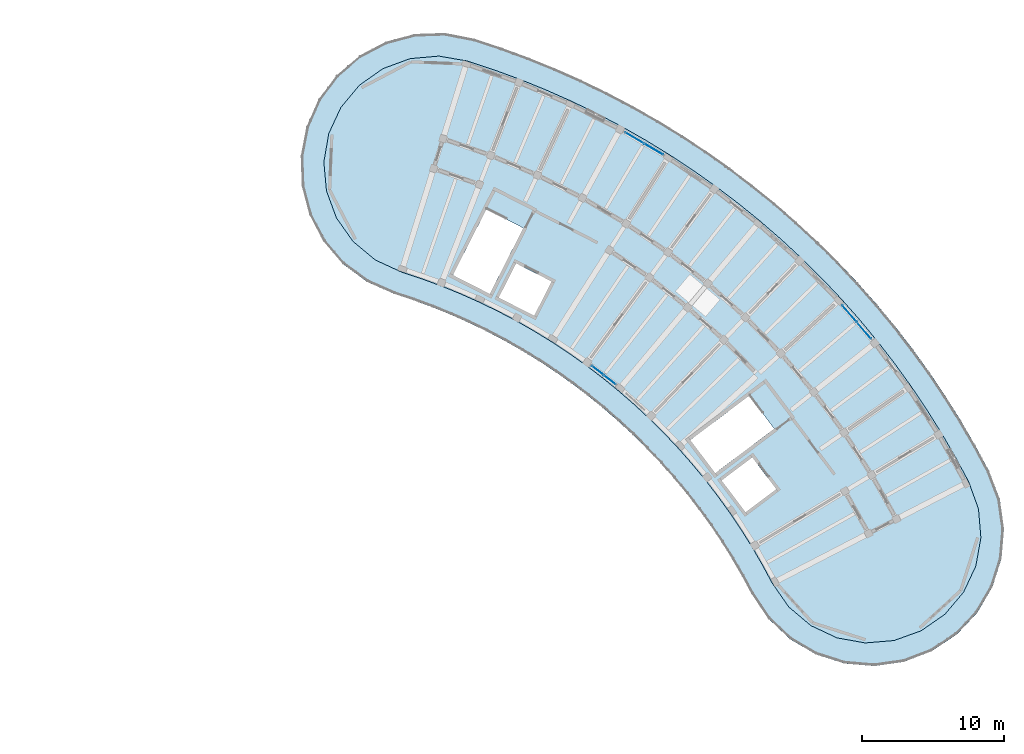
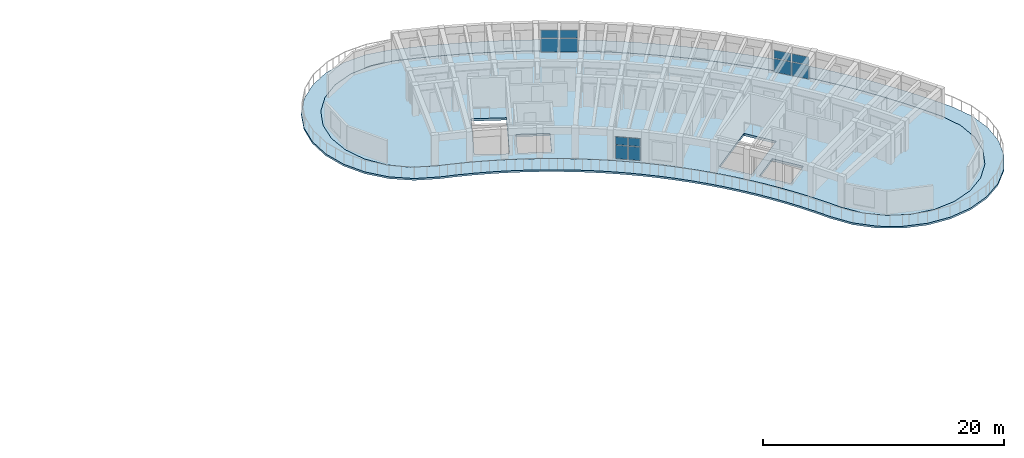
# One storey, part 17 of 32: 12 plates, 2 slabs, 3 elements without a shape of their own.
"""IFC4 building model written with IfcOpenShell, lengths in metres."""

from ifc_helpers import new_model, si_unit, direction, frame, origin, origin_2d, place, context, subcontext, project, spatial, polyline, rectangle, outline, extrude, material, layer, layer_set, type_object, element, aggregate, save


model = new_model("IFC4")

# Units and contexts
model_context = context("Model", 3, precision=1e-05, world=origin(), true_north=direction((0.0, 1.0)))
body_context = subcontext(model_context, "Body", "Model", "MODEL_VIEW")
ifc_project = project(units=[si_unit("LENGTHUNIT", "METRE"), si_unit("AREAUNIT", "SQUARE_METRE"), si_unit("VOLUMEUNIT", "CUBIC_METRE"), si_unit("PLANEANGLEUNIT", "RADIAN"), si_unit("MASSUNIT", "GRAM", prefix="KILO")], contexts=[model_context])

# Site, building, storey
site_placement = place(None, origin())
site = spatial("IfcSite", under=ifc_project, at=site_placement, CompositionType="ELEMENT")
building_placement = place(site_placement, origin())
building = spatial("IfcBuilding", under=site, at=building_placement, Name="Tanwirah Colonnade Gardens", CompositionType="ELEMENT")
storey_placement = place(building_placement, frame((0.0, 0.0, 42.43994140625)))
storey = spatial("IfcBuildingStorey", under=building, at=storey_placement, Name="L12", CompositionType="ELEMENT", Elevation=42.43994140625)

# Curtain wall, plates
ifc_material_1 = material(Name="Bronze-anodised aluminium and solar-control low-E glass", Category="aluminium")
curtain_wall_type_1 = type_object("IfcCurtainWallType", Name="CW-LOB", PredefinedType="NOTDEFINED", material=ifc_material_1)
curtain_wall_1_placement = place(storey_placement, origin())
curtain_wall_1 = element("IfcCurtainWall", 1, at=curtain_wall_1_placement, inside=storey, type_object=curtain_wall_type_1, Name="Curtain Wall CW-B-L12-OUT-06", PredefinedType="NOTDEFINED")
ifc_material_2 = material(Name="Insulated bronze aluminium spandrel panel", Category="aluminium")
ifc_layer_1 = layer(ifc_material_2, 0.035888671875)
ifc_layer_set_1 = layer_set([ifc_layer_1], Name="Insulated bronze aluminium spandrel panel")
plate_type = type_object("IfcPlateType", Name="CWP-SPN36", PredefinedType="CURTAIN_PANEL", material=ifc_layer_set_1)
plate_1_placement = place(storey_placement, frame((166.73046875, 98.301025390625, 0.06494140625), z_axis=(0.0, 0.0, 1.0), x_axis=(-0.650185920953, 0.75977514318, 0.0)))
plate_1 = element("IfcPlate", 2, at=plate_1_placement, type_object=plate_type, Name="CW-LOB panel 1.1", PredefinedType="CURTAIN_PANEL", context=body_context, shape_type="SweptSolid", body=[
    extrude(rectangle(XDim=1.50537109375, YDim=0.035888671875, at=origin_2d()), origin(), (0.0, 0.0, 1.0), 1.362548828125),
])
plate_2_placement = place(storey_placement, frame((166.73046875, 98.301025390625, 1.49267578125), z_axis=(0.0, 0.0, 1.0), x_axis=(-0.650185920953, 0.75977514318, 0.0)))
plate_2 = element("IfcPlate", 3, at=plate_2_placement, type_object=plate_type, Name="CW-LOB panel 1.2", PredefinedType="CURTAIN_PANEL", context=body_context, shape_type="SweptSolid", body=[
    extrude(rectangle(XDim=1.50537109375, YDim=0.035888671875, at=origin_2d()), origin(), (0.0, 0.0, 1.0), 0.79736328125),
])
plate_3_placement = place(storey_placement, frame((165.70947265625, 99.494140625, 0.06494140625), z_axis=(0.0, 0.0, 1.0), x_axis=(-0.650185920953, 0.75977514318, 0.0)))
plate_3 = element("IfcPlate", 4, at=plate_3_placement, type_object=plate_type, Name="CW-LOB panel 2.1", PredefinedType="CURTAIN_PANEL", context=body_context, shape_type="SweptSolid", body=[
    extrude(rectangle(XDim=1.50537109375, YDim=0.035888671875, at=origin_2d()), origin(), (0.0, 0.0, 1.0), 1.362548828125),
])
plate_4_placement = place(storey_placement, frame((165.70947265625, 99.494140625, 1.49267578125), z_axis=(0.0, 0.0, 1.0), x_axis=(-0.650185920953, 0.75977514318, 0.0)))
plate_4 = element("IfcPlate", 5, at=plate_4_placement, type_object=plate_type, Name="CW-LOB panel 2.2", PredefinedType="CURTAIN_PANEL", context=body_context, shape_type="SweptSolid", body=[
    extrude(rectangle(XDim=1.50537109375, YDim=0.035888671875, at=origin_2d()), origin(), (0.0, 0.0, 1.0), 0.79736328125),
])
aggregate(curtain_wall_1, [plate_1, plate_2, plate_3, plate_4])

curtain_wall_type_2 = type_object("IfcCurtainWallType", Name="CW-GDN", PredefinedType="NOTDEFINED", material=ifc_material_1)
curtain_wall_2_placement = place(storey_placement, origin())
curtain_wall_2 = element("IfcCurtainWall", 6, at=curtain_wall_2_placement, inside=storey, type_object=curtain_wall_type_2, Name="Curtain Wall CW-B-L12-IN-09", PredefinedType="NOTDEFINED")
plate_5_placement = place(storey_placement, frame((148.841064453125, 94.823974609375, 0.06494140625), z_axis=(0.0, 0.0, 1.0), x_axis=(-0.786815291166, 0.617188542982, 0.0)))
plate_5 = element("IfcPlate", 7, at=plate_5_placement, type_object=plate_type, Name="CW-GDN panel 1.1", PredefinedType="CURTAIN_PANEL", context=body_context, shape_type="SweptSolid", body=[
    extrude(rectangle(XDim=1.007568359375, YDim=0.035888671875, at=origin_2d()), origin(), (0.0, 0.0, 1.0), 1.362548828125),
])
plate_6_placement = place(storey_placement, frame((148.841064453125, 94.823974609375, 1.49267578125), z_axis=(0.0, 0.0, 1.0), x_axis=(-0.786815291166, 0.617188542982, 0.0)))
plate_6 = element("IfcPlate", 8, at=plate_6_placement, type_object=plate_type, Name="CW-GDN panel 1.2", PredefinedType="CURTAIN_PANEL", context=body_context, shape_type="SweptSolid", body=[
    extrude(rectangle(XDim=1.007568359375, YDim=0.035888671875, at=origin_2d()), origin(), (0.0, 0.0, 1.0), 0.79736328125),
])
plate_7_placement = place(storey_placement, frame((147.9970703125, 95.48583984375, 0.06494140625), z_axis=(0.0, 0.0, 1.0), x_axis=(-0.786815291166, 0.617188542982, 0.0)))
plate_7 = element("IfcPlate", 9, at=plate_7_placement, type_object=plate_type, Name="CW-GDN panel 2.1", PredefinedType="CURTAIN_PANEL", context=body_context, shape_type="SweptSolid", body=[
    extrude(rectangle(XDim=1.007568359375, YDim=0.035888671875, at=origin_2d()), origin(), (0.0, 0.0, 1.0), 1.362548828125),
])
plate_8_placement = place(storey_placement, frame((147.9970703125, 95.48583984375, 1.49267578125), z_axis=(0.0, 0.0, 1.0), x_axis=(-0.786815291166, 0.617188542982, 0.0)))
plate_8 = element("IfcPlate", 10, at=plate_8_placement, type_object=plate_type, Name="CW-GDN panel 2.2", PredefinedType="CURTAIN_PANEL", context=body_context, shape_type="SweptSolid", body=[
    extrude(rectangle(XDim=1.007568359375, YDim=0.035888671875, at=origin_2d()), origin(), (0.0, 0.0, 1.0), 0.79736328125),
])
aggregate(curtain_wall_2, [plate_5, plate_6, plate_7, plate_8])

curtain_wall_3_placement = place(storey_placement, origin())
curtain_wall_3 = element("IfcCurtainWall", 11, at=curtain_wall_3_placement, inside=storey, type_object=curtain_wall_type_1, Name="Curtain Wall CW-B-L12-OUT-11", PredefinedType="NOTDEFINED")
plate_9_placement = place(storey_placement, frame((151.933349609375, 111.0537109375, 0.06494140625), z_axis=(0.0, 0.0, 1.0), x_axis=(-0.861137415376, 0.50837225715, 0.0)))
plate_9 = element("IfcPlate", 12, at=plate_9_placement, type_object=plate_type, Name="CW-LOB panel 1.1", PredefinedType="CURTAIN_PANEL", context=body_context, shape_type="SweptSolid", body=[
    extrude(rectangle(XDim=1.50537109375, YDim=0.035888671875, at=origin_2d()), origin(), (0.0, 0.0, 1.0), 1.362548828125),
])
plate_10_placement = place(storey_placement, frame((151.933349609375, 111.0537109375, 1.49267578125), z_axis=(0.0, 0.0, 1.0), x_axis=(-0.861137415376, 0.50837225715, 0.0)))
plate_10 = element("IfcPlate", 13, at=plate_10_placement, type_object=plate_type, Name="CW-LOB panel 1.2", PredefinedType="CURTAIN_PANEL", context=body_context, shape_type="SweptSolid", body=[
    extrude(rectangle(XDim=1.50537109375, YDim=0.035888671875, at=origin_2d()), origin(), (0.0, 0.0, 1.0), 0.79736328125),
])
plate_11_placement = place(storey_placement, frame((150.5810546875, 111.85205078125, 0.06494140625), z_axis=(0.0, 0.0, 1.0), x_axis=(-0.861137415376, 0.50837225715, 0.0)))
plate_11 = element("IfcPlate", 14, at=plate_11_placement, type_object=plate_type, Name="CW-LOB panel 2.1", PredefinedType="CURTAIN_PANEL", context=body_context, shape_type="SweptSolid", body=[
    extrude(rectangle(XDim=1.50537109375, YDim=0.035888671875, at=origin_2d()), origin(), (0.0, 0.0, 1.0), 1.362548828125),
])
plate_12_placement = place(storey_placement, frame((150.5810546875, 111.85205078125, 1.49267578125), z_axis=(0.0, 0.0, 1.0), x_axis=(-0.861137415376, 0.50837225715, 0.0)))
plate_12 = element("IfcPlate", 15, at=plate_12_placement, type_object=plate_type, Name="CW-LOB panel 2.2", PredefinedType="CURTAIN_PANEL", context=body_context, shape_type="SweptSolid", body=[
    extrude(rectangle(XDim=1.50537109375, YDim=0.035888671875, at=origin_2d()), origin(), (0.0, 0.0, 1.0), 0.79736328125),
])
aggregate(curtain_wall_3, [plate_9, plate_10, plate_11, plate_12])

# Slabs
ifc_material_3 = material(Name="White architectural precast concrete C40/50", Category="concrete")
ifc_layer_2 = layer(ifc_material_3, 0.18994140625)
ifc_layer_set_2 = layer_set([ifc_layer_2], Name="White architectural precast concrete C40/50")
slab_type_1 = type_object("IfcSlabType", Name="SL-BAL-190", PredefinedType="FLOOR", material=ifc_layer_set_2)
slab_1_placement = place(storey_placement, frame((0.0, 0.0, -0.18994140625)))
element("IfcSlab", 16, at=slab_1_placement, inside=storey, type_object=slab_type_1, Name="Block B L12 Continuous White Balcony Ribbon", PredefinedType="FLOOR", context=body_context, shape_type="SweptSolid", body=[
    extrude(outline(polyline([(160.013427734375, 78.010498046875), (161.54345703125, 76.564697265625), (163.356689453125, 75.49560546875), (165.3623046875, 74.85693359375), (167.459716796875, 74.680419921875), (169.5439453125, 74.97509765625), (171.510498046875, 75.72607421875), (173.26025390625, 76.89599609375), (174.7060546875, 78.42578125), (175.775146484375, 80.239013671875), (176.4140625, 82.24462890625), (176.590576171875, 84.34228515625), (176.2958984375, 86.426513671875), (175.544677734375, 88.392822265625), (174.585693359375, 90.17529296875), (173.568603515625, 91.92529296875), (172.494384765625, 93.640869140625), (171.3642578125, 95.320068359375), (170.17919921875, 96.9609375), (168.940673828125, 98.56201171875), (167.650146484375, 100.121337890625), (166.30908203125, 101.63720703125), (164.91845703125, 103.108154296875), (163.48046875, 104.532470703125), (161.99609375, 105.90869140625), (160.467041015625, 107.235107421875), (158.895263671875, 108.510498046875), (157.282470703125, 109.7333984375), (155.6298828125, 110.90234375), (153.93994140625, 112.01611328125), (152.214111328125, 113.07373046875), (150.454345703125, 114.073974609375), (148.66259765625, 115.015380859375), (146.8408203125, 115.8974609375), (144.990966796875, 116.718994140625), (143.114990234375, 117.47900390625), (141.21484375, 118.1767578125), (139.29296875, 118.811767578125), (137.22607421875, 119.2099609375), (135.122314453125, 119.13818359375), (133.087158203125, 118.60009765625), (131.222900390625, 117.622802734375), (129.623046875, 116.255126953125), (128.367431640625, 114.565673828125), (127.519287109375, 112.63916015625), (127.12109375, 110.572265625), (127.19287109375, 108.468505859375), (127.730712890625, 106.433349609375), (128.708251953125, 104.569091796875), (130.075927734375, 102.96923828125), (131.765380859375, 101.713623046875), (133.69189453125, 100.865478515625), (135.025390625, 100.425048828125), (136.343505859375, 99.94091796875), (137.645263671875, 99.41357421875), (138.9287109375, 98.843505859375), (140.192626953125, 98.231689453125), (141.435791015625, 97.578369140625), (142.65673828125, 96.884521484375), (143.85400390625, 96.150634765625), (145.026611328125, 95.3779296875), (146.173095703125, 94.566650390625), (147.292236328125, 93.71826171875), (148.3828125, 92.83349609375), (149.443603515625, 91.9130859375), (150.473388671875, 90.95849609375), (151.47119140625, 89.97021484375), (152.435791015625, 88.94970703125), (153.366455078125, 87.89794921875), (154.26171875, 86.81591796875), (155.12109375, 85.705078125), (155.943115234375, 84.566650390625), (156.727294921875, 83.401611328125), (157.47265625, 82.21142578125), (158.178466796875, 80.997314453125), (158.84375, 79.760498046875), (160.013427734375, 78.010498046875)]), holes=[polyline([(161.443115234375, 78.83740234375), (160.2822265625, 80.505615234375), (159.59228515625, 81.787841796875), (159.592041015625, 81.788330078125), (158.85986328125, 83.048095703125), (158.859619140625, 83.048828125), (158.086181640625, 84.28369140625), (158.0859375, 84.2841796875), (157.272216796875, 85.492919921875), (157.271728515625, 85.493408203125), (156.418701171875, 86.6748046875), (156.41845703125, 86.67529296875), (155.52685546875, 87.827880859375), (155.526611328125, 87.828369140625), (154.597412109375, 88.950927734375), (154.59716796875, 88.951416015625), (153.631591796875, 90.042724609375), (153.631103515625, 90.043212890625), (152.630126953125, 91.10205078125), (152.629638671875, 91.1025390625), (151.594482421875, 92.1279296875), (151.593994140625, 92.12841796875), (150.525390625, 93.118896484375), (150.52490234375, 93.119384765625), (149.42431640625, 94.07421875), (149.423828125, 94.07470703125), (148.292236328125, 94.99267578125), (148.291748046875, 94.9931640625), (147.130615234375, 95.87353515625), (147.130126953125, 95.873779296875), (145.940673828125, 96.71533203125), (145.940185546875, 96.7158203125), (144.723388671875, 97.517578125), (144.722900390625, 97.51806640625), (143.48046875, 98.279296875), (143.47998046875, 98.279541015625), (142.213134765625, 98.99951171875), (142.212646484375, 99.0), (140.9228515625, 99.677734375), (140.922119140625, 99.677978515625), (139.61083984375, 100.31298828125), (139.610107421875, 100.313232421875), (138.2783203125, 100.904541015625), (138.27783203125, 100.90478515625), (136.92724609375, 101.451904296875), (136.9267578125, 101.4521484375), (135.55908203125, 101.95458984375), (135.558349609375, 101.954833984375), (134.17578125, 102.411376953125), (132.331298828125, 103.264892578125), (130.771728515625, 104.56591796875), (129.60205078125, 106.22607421875), (128.90185546875, 108.132568359375), (128.718994140625, 110.1552734375), (129.06591796875, 112.156494140625), (129.918701171875, 113.99951171875), (131.2197265625, 115.55908203125), (132.8798828125, 116.728759765625), (134.786376953125, 117.428955078125), (136.80908203125, 117.61181640625), (138.811279296875, 117.264892578125), (140.681640625, 116.647216796875), (142.531494140625, 115.9677734375), (144.35791015625, 115.227783203125), (146.158935546875, 114.427978515625), (147.932861328125, 113.5693359375), (149.67724609375, 112.652587890625), (151.390625, 111.6787109375), (153.07080078125, 110.649169921875), (154.71630859375, 109.564453125), (156.3251953125, 108.42626953125), (157.8955078125, 107.23583984375), (159.42578125, 105.994140625), (160.914306640625, 104.70263671875), (162.359619140625, 103.36279296875), (163.759765625, 101.97607421875), (165.113525390625, 100.5439453125), (166.41943359375, 99.068115234375), (167.67578125, 97.5498046875), (168.881591796875, 95.990966796875), (170.035400390625, 94.393310546875), (171.1357421875, 92.758544921875), (172.181640625, 91.08837890625), (173.171875, 89.384521484375), (174.10498046875, 87.64990234375), (174.79443359375, 85.738525390625), (174.965576171875, 83.714599609375), (174.607177734375, 81.715576171875), (173.743408203125, 79.87744140625), (172.43359375, 78.325439453125), (170.766357421875, 77.16552734375), (168.85595703125, 76.476318359375), (166.832275390625, 76.30517578125), (164.833251953125, 76.663818359375), (162.9951171875, 77.52734375), (161.443115234375, 78.83740234375)])]), origin(), (0.0, 0.0, 1.0), 0.18994140625),
])
ifc_material_4 = material(Name="Precast concrete C40/50", Category="concrete")
ifc_layer_3 = layer(ifc_material_4, 0.239990234375)
ifc_layer_set_3 = layer_set([ifc_layer_3], Name="Precast concrete C40/50")
slab_type_2 = type_object("IfcSlabType", Name="SL-RES-240", PredefinedType="FLOOR", material=ifc_layer_set_3)
slab_2_placement = place(storey_placement, frame((0.0, 0.0, -0.239990234375)))
element("IfcSlab", 17, at=slab_2_placement, inside=storey, type_object=slab_type_2, Name="Block B L12 Precast Composite Floor Slab", PredefinedType="FLOOR", context=body_context, shape_type="SweptSolid", body=[
    extrude(outline(polyline([(158.842529296875, 83.0380859375), (159.57470703125, 81.7783203125), (160.26513671875, 80.4951171875), (161.42822265625, 78.82373046875), (162.984130859375, 77.510498046875), (164.8271484375, 76.64453125), (166.831298828125, 76.28515625), (168.8603515625, 76.456787109375), (170.775634765625, 77.1474609375), (172.447021484375, 78.310546875), (173.760498046875, 79.86669921875), (174.62646484375, 81.70947265625), (174.98583984375, 83.7138671875), (174.814208984375, 85.74267578125), (174.123291015625, 87.658203125), (173.189453125, 89.394287109375), (172.19873046875, 91.0986328125), (171.152587890625, 92.76953125), (170.0517578125, 94.40478515625), (168.897705078125, 96.0029296875), (167.69140625, 97.562255859375), (166.4345703125, 99.0810546875), (165.12841796875, 100.5576171875), (163.774169921875, 101.990234375), (162.37353515625, 103.377197265625), (160.927734375, 104.717529296875), (159.438720703125, 106.009521484375), (157.907958984375, 107.25146484375), (156.3369140625, 108.442626953125), (154.7275390625, 109.5810546875), (153.08154296875, 110.666015625), (151.400634765625, 111.696044921875), (149.686767578125, 112.669921875), (147.94189453125, 113.587158203125), (146.16748046875, 114.446044921875), (144.36572265625, 115.24609375), (142.53857421875, 115.986328125), (140.688232421875, 116.666015625), (138.816162109375, 117.284423828125), (136.809814453125, 117.632080078125), (134.781982421875, 117.44873046875), (132.87060546875, 116.746826171875), (131.2060546875, 115.573974609375), (129.90185546875, 114.01025390625), (129.046630859375, 112.162353515625), (128.69873046875, 110.156005859375), (128.88232421875, 108.128173828125), (129.584228515625, 106.216796875), (130.757080078125, 104.55224609375), (132.320556640625, 103.248046875), (134.16845703125, 102.392822265625), (135.552001953125, 101.935791015625), (136.919921875, 101.433349609375), (138.270263671875, 100.88623046875), (139.60205078125, 100.294921875), (140.91357421875, 99.659912109375), (142.203369140625, 98.982177734375), (143.47021484375, 98.26220703125), (144.71240234375, 97.5009765625), (145.92919921875, 96.698974609375), (147.11865234375, 95.857421875), (148.27978515625, 94.977294921875), (149.4111328125, 94.05908203125), (150.51171875, 93.104248046875), (151.580322265625, 92.11376953125), (152.61572265625, 91.08837890625), (153.61669921875, 90.029541015625), (154.58203125, 88.938232421875), (155.510986328125, 87.815673828125), (156.402587890625, 86.6630859375), (157.255615234375, 85.48193359375), (158.0693359375, 84.27294921875), (158.842529296875, 83.0380859375)]), holes=[polyline([(160.4169921875, 91.38427734375), (156.2666015625, 88.256591796875), (154.512939453125, 90.583740234375), (158.663330078125, 93.71142578125), (160.4169921875, 91.38427734375)]), polyline([(158.402587890625, 85.5048828125), (156.717529296875, 87.7412109375), (158.873779296875, 89.365966796875), (160.558837890625, 87.1298828125), (158.402587890625, 85.5048828125)]), polyline([(137.8017578125, 102.199951171875), (140.1611328125, 106.830322265625), (142.757568359375, 105.507568359375), (140.398193359375, 100.876953125), (137.8017578125, 102.199951171875)]), polyline([(142.255126953125, 103.01708984375), (144.75, 101.745849609375), (143.524169921875, 99.34033203125), (141.029541015625, 100.611328125), (142.255126953125, 103.01708984375)])]), origin(), (0.0, 0.0, 1.0), 0.239990234375),
])

save(model, "model.ifc")
